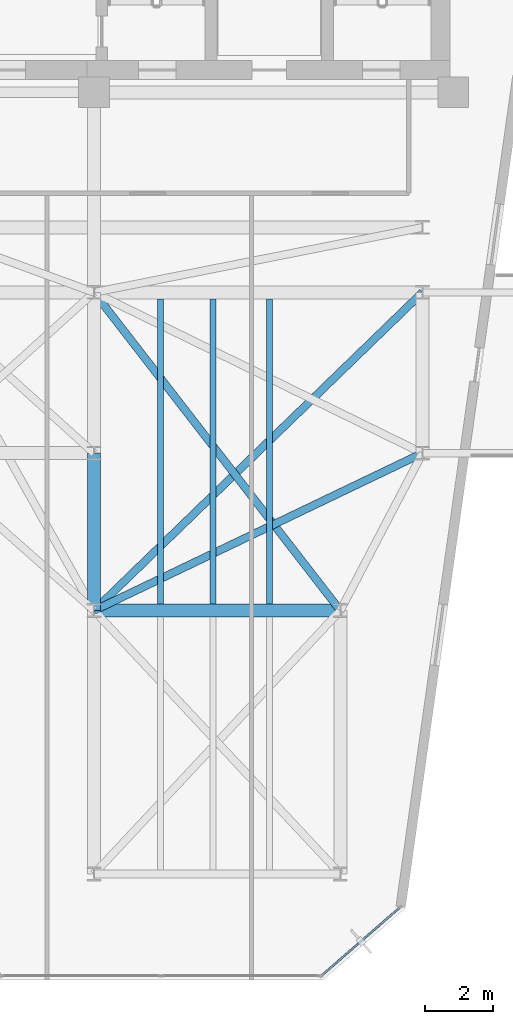
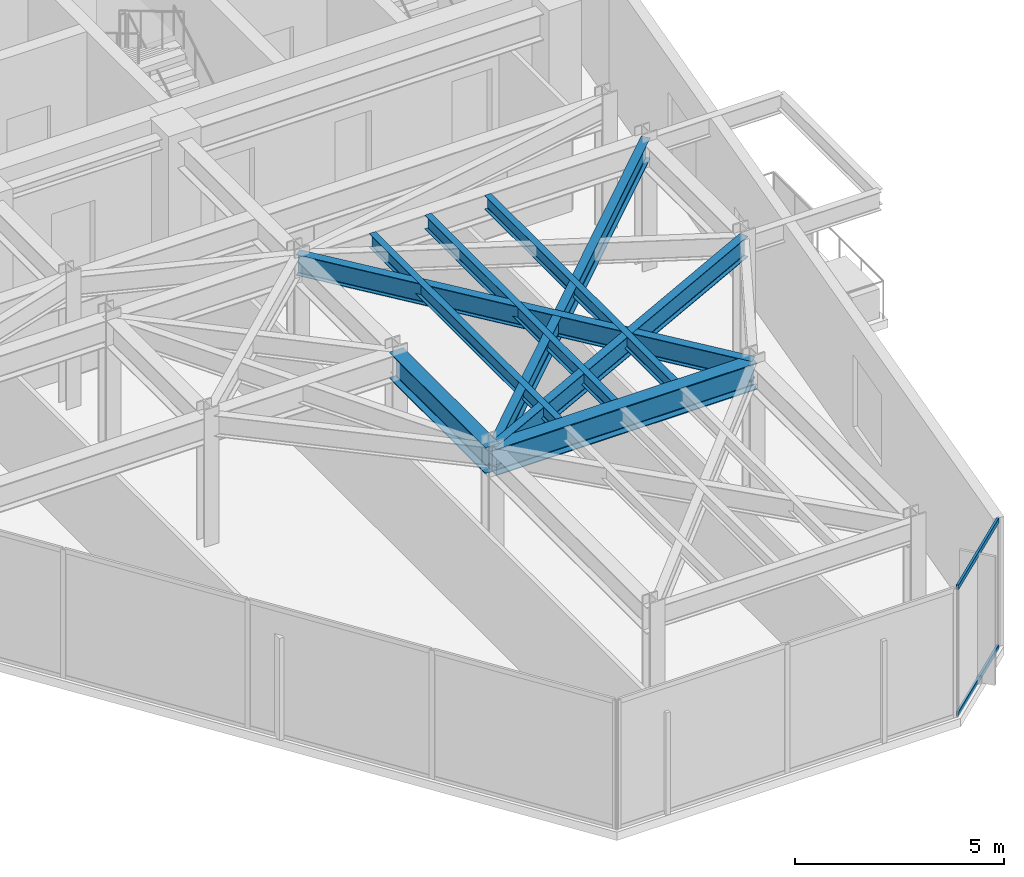
# One storey, part 19 of 26: 8 beams, 2 members, 1 element without a shape of its own.
"""IFC4 building model written with IfcOpenShell, lengths in metres."""

import ifcopenshell
import ifcopenshell.guid

model = None  # the IFC model being written
_history = None  # IfcOwnerHistory: only IFC2X3 demands one
_inside = {}  # id of a spatial element -> (the spatial element, [elements in it])
_under = {}  # id of a project, library or spatial element -> (it, [spatial elements below it])
_declared = {}  # id of a project -> (the project, [libraries it declares])
_typed = {}  # id of a type object -> (the type object, [elements of that type])
_made_of = {}  # id of a material, layer set ... -> (it, [elements and type objects made of it])


def new_model(schema):
    """Start an empty IFC model of exactly this schema.

    Asked for "IFC4X3", IfcOpenShell would pick the latest addendum, in which some entities
    have other attributes; the version numbers below select the first issue.
    IFC2X3 requires an IfcOwnerHistory on every rooted entity: one is made here for all.
    """
    global model, _history
    if schema == "IFC4X3":
        model = ifcopenshell.file(schema_version=(4, 3, 0, 0))
    else:
        model = ifcopenshell.file(schema=schema)
    _inside.clear()
    _under.clear()
    _declared.clear()
    _typed.clear()
    _made_of.clear()
    _history = None
    if model.schema == "IFC2X3":
        org = make("IfcOrganization", Name="unknown")
        user = make(
            "IfcPersonAndOrganization",
            ThePerson=make("IfcPerson", FamilyName="unknown"),
            TheOrganization=org,
        )
        app = make(
            "IfcApplication",
            ApplicationDeveloper=org,
            Version="unknown",
            ApplicationFullName="unknown",
            ApplicationIdentifier="unknown",
        )
        _history = make(
            "IfcOwnerHistory",
            OwningUser=user,
            OwningApplication=app,
            ChangeAction="ADDED",
            CreationDate=0,
        )
    return model


def make(cls, **values):
    """One entity of the class cls with the attributes given. An attribute that is None is left unset."""
    return model.create_entity(
        cls, **{name: value for name, value in values.items() if value is not None}
    )


def rooted(cls, **values):
    """An entity with a GlobalId (a new one), such as an element, a storey or a relation."""
    return make(cls, GlobalId=ifcopenshell.guid.new(), OwnerHistory=_history, **values)


def si_unit(unit_type, name, prefix=None):
    """IfcSIUnit, for example si_unit("LENGTHUNIT", "METRE", prefix="MILLI")."""
    return make("IfcSIUnit", UnitType=unit_type, Prefix=prefix, Name=name)


def assignment(units):
    """IfcUnitAssignment: the units of a project."""
    return None if units is None else make("IfcUnitAssignment", Units=units)


def point(xyz):
    """IfcCartesianPoint."""
    return None if xyz is None else make("IfcCartesianPoint", Coordinates=xyz)


def direction(xyz):
    """IfcDirection."""
    return None if xyz is None else make("IfcDirection", DirectionRatios=xyz)


def frame(location, z_axis=None, x_axis=None):
    """IfcAxis2Placement3D, a coordinate frame: its origin and axes. An axis left out is left unset."""
    return make(
        "IfcAxis2Placement3D",
        Location=point(location),
        Axis=direction(z_axis),
        RefDirection=direction(x_axis),
    )


def frame_2d(location, x_axis=None):
    """IfcAxis2Placement2D, a coordinate frame in the plane: its origin and x axis."""
    return make(
        "IfcAxis2Placement2D", Location=point(location), RefDirection=direction(x_axis)
    )


def origin():
    """The frame at (0, 0, 0) with its axes left unset."""
    return frame((0.0, 0.0, 0.0))


def origin_2d():
    """The frame at (0, 0) in the plane with its x axis left unset."""
    return frame_2d((0.0, 0.0))


def place(relative_to, where):
    """IfcLocalPlacement: puts the frame where relative to a parent placement (None: the world)."""
    return make(
        "IfcLocalPlacement", PlacementRelTo=relative_to, RelativePlacement=where
    )


def context(
    kind, dimensions, precision=None, world=None, true_north=None, identifier=None
):
    """IfcGeometricRepresentationContext, for example the 3D "Model" context."""
    return make(
        "IfcGeometricRepresentationContext",
        ContextIdentifier=identifier,
        ContextType=kind,
        CoordinateSpaceDimension=dimensions,
        Precision=precision,
        WorldCoordinateSystem=world,
        TrueNorth=true_north,
    )


def subcontext(parent, identifier, kind, view, scale=None):
    """IfcGeometricRepresentationSubContext, for example "Body" below "Model"."""
    return make(
        "IfcGeometricRepresentationSubContext",
        ContextIdentifier=identifier,
        ContextType=kind,
        ParentContext=parent,
        TargetScale=scale,
        TargetView=view,
    )


def project(units=None, contexts=None):
    """IfcProject with its units and contexts."""
    return rooted(
        "IfcProject",
        Name="project",
        RepresentationContexts=contexts,
        UnitsInContext=assignment(units),
    )


def spatial(cls, under=None, at=None, **own):
    """A site, building, storey or space (cls), placed at a placement, below another one or the project."""
    s = rooted(cls, ObjectPlacement=at, **own)
    if under is not None:
        _under.setdefault(under.id(), (under, []))[1].append(s)
    return s


def profile(cls, at=None, kind="AREA", **sizes):
    """A parametric profile (cls). Its sizes go by their IFC names, for example OverallWidth=200.0."""
    return make(cls, ProfileType=kind, Position=at, **sizes)


def hollow_rectangle(**sizes):
    """IfcRectangleHollowProfileDef."""
    return profile("IfcRectangleHollowProfileDef", **sizes)


def i_section(**sizes):
    """IfcIShapeProfileDef."""
    return profile("IfcIShapeProfileDef", **sizes)


def extrude(swept, where, along, depth):
    """IfcExtrudedAreaSolid: the profile swept, set in the frame where, extruded along a direction by depth."""
    return make(
        "IfcExtrudedAreaSolid",
        SweptArea=swept,
        Position=where,
        ExtrudedDirection=direction(along),
        Depth=depth,
    )


def shape(context_of_items, identifier, shape_type, items):
    """IfcShapeRepresentation: the items that make up one representation, for example the "Body"."""
    return make(
        "IfcShapeRepresentation",
        ContextOfItems=context_of_items,
        RepresentationIdentifier=identifier,
        RepresentationType=shape_type,
        Items=items,
    )


def material(Name=None, Category=None):
    """IfcMaterial."""
    return make("IfcMaterial", Name=Name, Category=Category)


def layer(
    of_material, thickness, ventilated=None, Name=None, Category=None, Priority=None
):
    """IfcMaterialLayer: one layer of a wall or slab, of a material (None: an air gap)."""
    return make(
        "IfcMaterialLayer",
        Material=of_material,
        LayerThickness=thickness,
        IsVentilated=ventilated,
        Name=Name,
        Category=Category,
        Priority=Priority,
    )


def layer_set(layers, Name=None):
    """IfcMaterialLayerSet."""
    return make("IfcMaterialLayerSet", MaterialLayers=layers, LayerSetName=Name)


def material_profile(
    of_material, cross_section, Name=None, Category=None, Priority=None
):
    """IfcMaterialProfile: a cross section and its material."""
    return make(
        "IfcMaterialProfile",
        Name=Name,
        Material=of_material,
        Profile=cross_section,
        Priority=Priority,
        Category=Category,
    )


def profile_set(profiles, Name=None, composite=None):
    """IfcMaterialProfileSet."""
    return make(
        "IfcMaterialProfileSet",
        Name=Name,
        MaterialProfiles=profiles,
        CompositeProfile=composite,
    )


def made_of(thing, what):
    """Note that an element or type object is made of a material, layer set ...; save() writes the relation."""
    if what is not None:
        _made_of.setdefault(what.id(), (what, []))[1].append(thing)
    return thing


def type_object(cls, material=None, **own):
    """A type object (cls), such as IfcWallType, which elements share."""
    return made_of(rooted(cls, **own), material)


def element(
    cls,
    number,
    at=None,
    inside=None,
    cuts=None,
    type_object=None,
    material=None,
    context=None,
    identifier="Body",
    shape_type=None,
    held_by="IfcProductDefinitionShape",
    body=None,
    shapes=None,
    **own,
):
    """One element of the class cls, such as IfcWall. Its Tag is "e" and its number.

    at: its placement. inside: the storey or other place that contains it. cuts: it is an
    opening in that element (IfcRelVoidsElement). A single representation is given by context,
    identifier, shape_type and body (its items); several are given by shapes. held_by: the class
    of the entity that holds the representations. save() writes the other relations.
    """
    e = rooted(cls, Tag="e%d" % number, ObjectPlacement=at, **own)
    if body is not None:
        shapes = [shape(context, identifier, shape_type, body)]
    if shapes is not None:
        e.Representation = make(held_by, Representations=shapes)
    if inside is not None:
        _inside.setdefault(inside.id(), (inside, []))[1].append(e)
    if cuts is not None:
        rooted(
            "IfcRelVoidsElement", RelatingBuildingElement=cuts, RelatedOpeningElement=e
        )
    if type_object is not None:
        _typed.setdefault(type_object.id(), (type_object, []))[1].append(e)
    return made_of(e, material)


def aggregate(whole, parts):
    """IfcRelAggregates: a whole, such as a stair, and the parts it consists of."""
    return rooted("IfcRelAggregates", RelatingObject=whole, RelatedObjects=parts)


def save(model, path):
    """Write the relations noted so far, then the file.

    IfcRelAggregates (storeys below a building ...), IfcRelContainedInSpatialStructure (elements
    in a storey), IfcRelDefinesByType, IfcRelAssociatesMaterial and IfcRelDeclares: one each for
    every whole, place, type object, material and project.
    """
    for whole, parts in _under.values():
        aggregate(whole, parts)
    for where, things in _inside.values():
        rooted(
            "IfcRelContainedInSpatialStructure",
            RelatedElements=things,
            RelatingStructure=where,
        )
    for kind, things in _typed.values():
        rooted("IfcRelDefinesByType", RelatedObjects=things, RelatingType=kind)
    for what, things in _made_of.values():
        rooted("IfcRelAssociatesMaterial", RelatedObjects=things, RelatingMaterial=what)
    for by, libraries in _declared.values():
        rooted("IfcRelDeclares", RelatingContext=by, RelatedDefinitions=libraries)
    model.write(path)


model = new_model("IFC4")

# Units and contexts
model_context = context("Model", 3, precision=1e-05, world=origin(), true_north=direction((0.0, 1.0)))
body_context = subcontext(model_context, "Body", "Model", "MODEL_VIEW")
ifc_project = project(units=[si_unit("LENGTHUNIT", "METRE"), si_unit("AREAUNIT", "SQUARE_METRE"), si_unit("VOLUMEUNIT", "CUBIC_METRE"), si_unit("PLANEANGLEUNIT", "RADIAN"), si_unit("MASSUNIT", "GRAM", prefix="KILO")], contexts=[model_context])

# Site, building, storey
site_placement = place(None, origin())
site = spatial("IfcSite", under=ifc_project, at=site_placement, CompositionType="ELEMENT")
building_placement = place(site_placement, origin())
building = spatial("IfcBuilding", under=site, at=building_placement, Name="Kravanh Interchange Tower", CompositionType="ELEMENT")
storey_placement = place(building_placement, frame((0.0, 0.0, 212.5)))
storey = spatial("IfcBuildingStorey", under=building, at=storey_placement, Name="L51", CompositionType="ELEMENT", Elevation=212.5)

# Curtain wall, members
ifc_material_1 = material(Name="Anodised Bronze Aluminium", Category="aluminium")
ifc_layer = layer(ifc_material_1, 0.179931640625)
ifc_layer_set = layer_set([ifc_layer], Name="Unitised Curtain Wall System CW-Z3 Upper Office")
curtain_wall_type = type_object("IfcCurtainWallType", Name="Unitised Curtain Wall System CW-Z3 Upper Office", PredefinedType="NOTDEFINED", material=ifc_layer_set)
curtain_wall_placement = place(storey_placement, origin())
curtain_wall = element("IfcCurtainWall", 1, at=curtain_wall_placement, inside=storey, type_object=curtain_wall_type, Name="L51 Unitised Curtain Wall CW-L51-02", PredefinedType="NOTDEFINED")
ifc_material_2 = material(Name="Anodised Bronze Aluminium", Category="aluminium")
ifc_material_profile_1 = material_profile(ifc_material_2, hollow_rectangle(XDim=0.06005859375, YDim=0.139892578125, WallThickness=0.00390625, at=origin_2d()), Name="ALU60X140X4")
ifc_profile_set_1 = profile_set([ifc_material_profile_1], Name="Anodised Bronze Aluminium")
member_type = type_object("IfcMemberType", Name="Curtain Wall Transom ALU60X140X4 Bronze", PredefinedType="USERDEFINED", material=ifc_profile_set_1)
member_1_placement = place(storey_placement, frame((64.92041015625, 13.501220703125, 0.030029296875), z_axis=(-0.754744002238, -0.656019428893, 0.0), x_axis=(0.656019428893, -0.754744002238, 0.0)))
member_1 = element("IfcMember", 2, at=member_1_placement, type_object=member_type, Name="CW-Z3 transom 1.1", ObjectType="TRANSOM", PredefinedType="USERDEFINED", context=body_context, shape_type="SweptSolid", body=[
    extrude(hollow_rectangle(XDim=0.06005859375, YDim=0.139892578125, WallThickness=0.00390625, at=origin_2d()), origin(), (0.0, 0.0, 1.0), 2.960205078125),
])
member_2_placement = place(storey_placement, frame((64.92041015625, 13.501220703125, 3.72509765625), z_axis=(-0.754744002238, -0.656019428893, 0.0), x_axis=(0.656019428893, -0.754744002238, 0.0)))
member_2 = element("IfcMember", 3, at=member_2_placement, type_object=member_type, Name="CW-Z3 transom 1.2", ObjectType="TRANSOM", PredefinedType="USERDEFINED", context=body_context, shape_type="SweptSolid", body=[
    extrude(hollow_rectangle(XDim=0.06005859375, YDim=0.139892578125, WallThickness=0.00390625, at=origin_2d()), origin(), (0.0, 0.0, 1.0), 2.960205078125),
])
aggregate(curtain_wall, [member_1, member_2])

# Beams
ifc_material_3 = material(Name="Structural Steel S355", Category="steel")
ifc_material_profile_2 = material_profile(ifc_material_3, i_section(OverallWidth=0.381103515625, OverallDepth=0.77294921875, WebThickness=0.0166015625, FlangeThickness=0.027099609375, FilletRadius=0.02490234375, at=origin_2d()), Name="W30X173")
ifc_profile_set_2 = profile_set([ifc_material_profile_2], Name="Structural Steel S355")
beam_type_1 = type_object("IfcBeamType", Name="Floor Beam W30X173 Structural Steel S355", PredefinedType="BEAM", material=ifc_profile_set_2)
beam_1_placement = place(storey_placement, frame((56.0, 26.800048828125, 3.368408203125), z_axis=(0.0, -1.0, 0.0), x_axis=(1.0, 0.0, 0.0)))
element("IfcBeam", 4, at=beam_1_placement, inside=storey, type_object=beam_type_1, Name="L51 Primary Floor Girder 53", PredefinedType="BEAM", context=body_context, shape_type="SweptSolid", body=[
    extrude(i_section(OverallWidth=0.381103515625, OverallDepth=0.77294921875, WebThickness=0.0166015625, FlangeThickness=0.027099609375, FilletRadius=0.02490234375, at=origin_2d()), origin(), (0.0, 0.0, 1.0), 4.60009765625),
])
beam_2_placement = place(storey_placement, frame((56.0, 22.199951171875, 3.368408203125), z_axis=(1.0, 0.0, 0.0), x_axis=(0.0, 1.0, 0.0)))
element("IfcBeam", 5, at=beam_2_placement, inside=storey, type_object=beam_type_1, Name="L51 Primary Floor Girder 92", PredefinedType="BEAM", context=body_context, shape_type="SweptSolid", body=[
    extrude(i_section(OverallWidth=0.381103515625, OverallDepth=0.77294921875, WebThickness=0.0166015625, FlangeThickness=0.027099609375, FilletRadius=0.02490234375, at=origin_2d()), origin(), (0.0, 0.0, 1.0), 7.199951171875),
])
ifc_material_4 = material(Name="Structural Steel S355", Category="steel")
ifc_material_profile_3 = material_profile(ifc_material_4, i_section(OverallWidth=0.177978515625, OverallDepth=0.406005859375, WebThickness=0.0078125, FlangeThickness=0.0126953125, FilletRadius=0.01611328125, at=origin_2d()), Name="W16X40")
ifc_profile_set_3 = profile_set([ifc_material_profile_3], Name="Structural Steel S355")
beam_type_2 = type_object("IfcBeamType", Name="Floor Joist W16X40 Structural Steel S355", PredefinedType="JOIST", material=ifc_profile_set_3)
for number, where, z_axis, x_axis, name in (
    (6, (57.947998046875, 22.385498046875, 3.552001953125), (0.0, 1.0, 0.0), (-1.0, 0.0, 0.0), "L51 Secondary Floor Joist 10"),
    (7, (59.48193359375, 22.385498046875, 3.552001953125), (0.0, 1.0, 0.0), (-1.0, 0.0, 0.0), "L51 Secondary Floor Joist 11"),
    (8, (61.134033203125, 22.385498046875, 3.552001953125), (0.0, 1.0, 0.0), (-1.0, 0.0, 0.0), "L51 Secondary Floor Joist 12"),
):
    element("IfcBeam", number, at=place(storey_placement, frame(where, z_axis=z_axis, x_axis=x_axis)), inside=storey, type_object=beam_type_2, Name=name, PredefinedType="JOIST", context=body_context, shape_type="SweptSolid", body=[
        extrude(i_section(OverallWidth=0.177978515625, OverallDepth=0.406005859375, WebThickness=0.0078125, FlangeThickness=0.0126953125, FilletRadius=0.01611328125, at=origin_2d()), origin(), (0.0, 0.0, 1.0), 8.928955078125),
    ])
ifc_material_5 = material(Name="Structural Steel S355", Category="steel")
ifc_material_profile_4 = material_profile(ifc_material_5, i_section(OverallWidth=0.22802734375, OverallDepth=0.60791015625, WebThickness=0.01123046875, FlangeThickness=0.017333984375, FilletRadius=0.02197265625, at=origin_2d()), Name="W24X76")
ifc_profile_set_4 = profile_set([ifc_material_profile_4], Name="Structural Steel S355")
beam_type_3 = type_object("IfcBeamType", Name="Floor Spandrel W24X76 Structural Steel S355", PredefinedType="SPANDREL", material=ifc_profile_set_4)
beam_3_placement = place(storey_placement, frame((65.60009765625, 26.800048828125, 3.450927734375), z_axis=(-0.901814166789, -0.432124066188, 0.0), x_axis=(0.432124066188, -0.901814166789, 0.0)))
element("IfcBeam", 9, at=beam_3_placement, inside=storey, type_object=beam_type_3, Name="L51 Perimeter Spandrel 59", PredefinedType="SPANDREL", context=body_context, shape_type="SweptSolid", body=[
    extrude(i_section(OverallWidth=0.22802734375, OverallDepth=0.60791015625, WebThickness=0.01123046875, FlangeThickness=0.017333984375, FilletRadius=0.02197265625, at=origin_2d()), origin(), (0.0, 0.0, 1.0), 10.645263671875),
])
beam_4_placement = place(storey_placement, frame((56.0, 31.5, 3.450927734375), z_axis=(0.612168587637, -0.790727273028, 0.0), x_axis=(0.790727273028, 0.612168587637, 0.0)))
element("IfcBeam", 10, at=beam_4_placement, inside=storey, type_object=beam_type_3, Name="L51 Perimeter Spandrel 83", PredefinedType="SPANDREL", context=body_context, shape_type="SweptSolid", body=[
    extrude(i_section(OverallWidth=0.22802734375, OverallDepth=0.60791015625, WebThickness=0.01123046875, FlangeThickness=0.017333984375, FilletRadius=0.02197265625, at=origin_2d()), origin(), (0.0, 0.0, 1.0), 11.761474609375),
])
beam_5_placement = place(storey_placement, frame((65.60009765625, 31.5, 3.450927734375), z_axis=(-0.718241934329, -0.695793449072, 0.0), x_axis=(0.695793449072, -0.718241934329, 0.0)))
element("IfcBeam", 11, at=beam_5_placement, inside=storey, type_object=beam_type_3, Name="L51 Perimeter Spandrel 85", PredefinedType="SPANDREL", context=body_context, shape_type="SweptSolid", body=[
    extrude(i_section(OverallWidth=0.22802734375, OverallDepth=0.60791015625, WebThickness=0.01123046875, FlangeThickness=0.017333984375, FilletRadius=0.02197265625, at=origin_2d()), origin(), (0.0, 0.0, 1.0), 13.3662109375),
])

save(model, "model.ifc")
